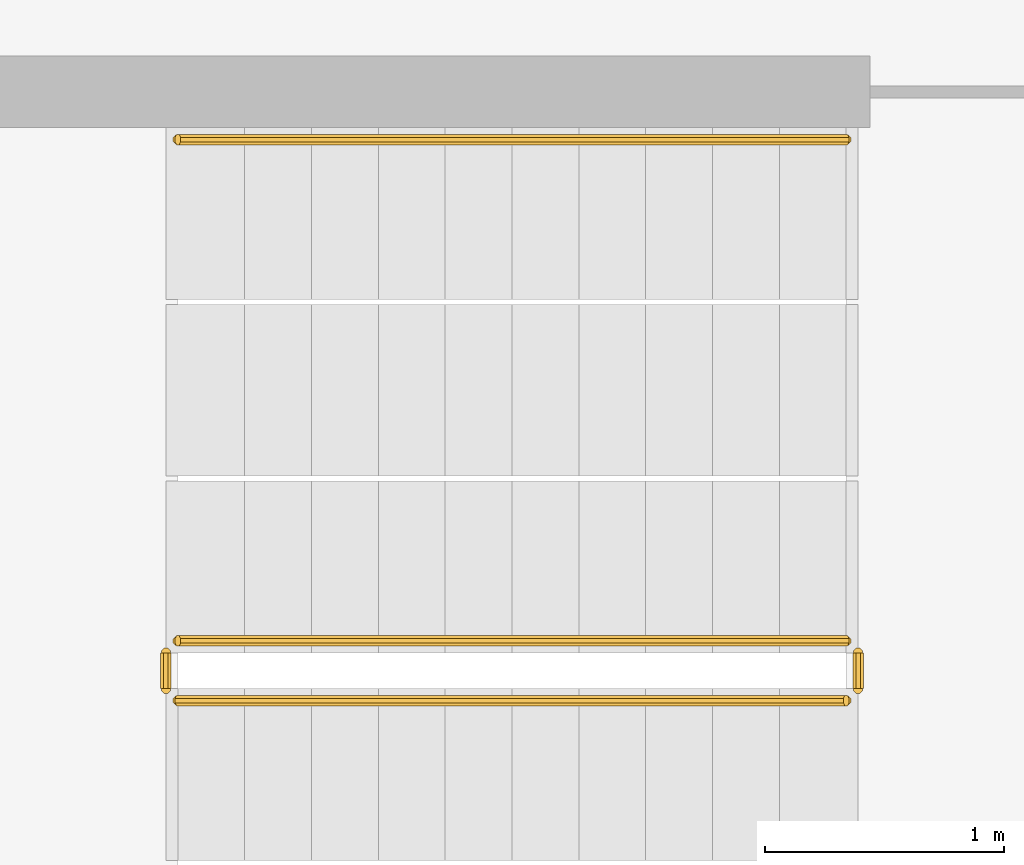
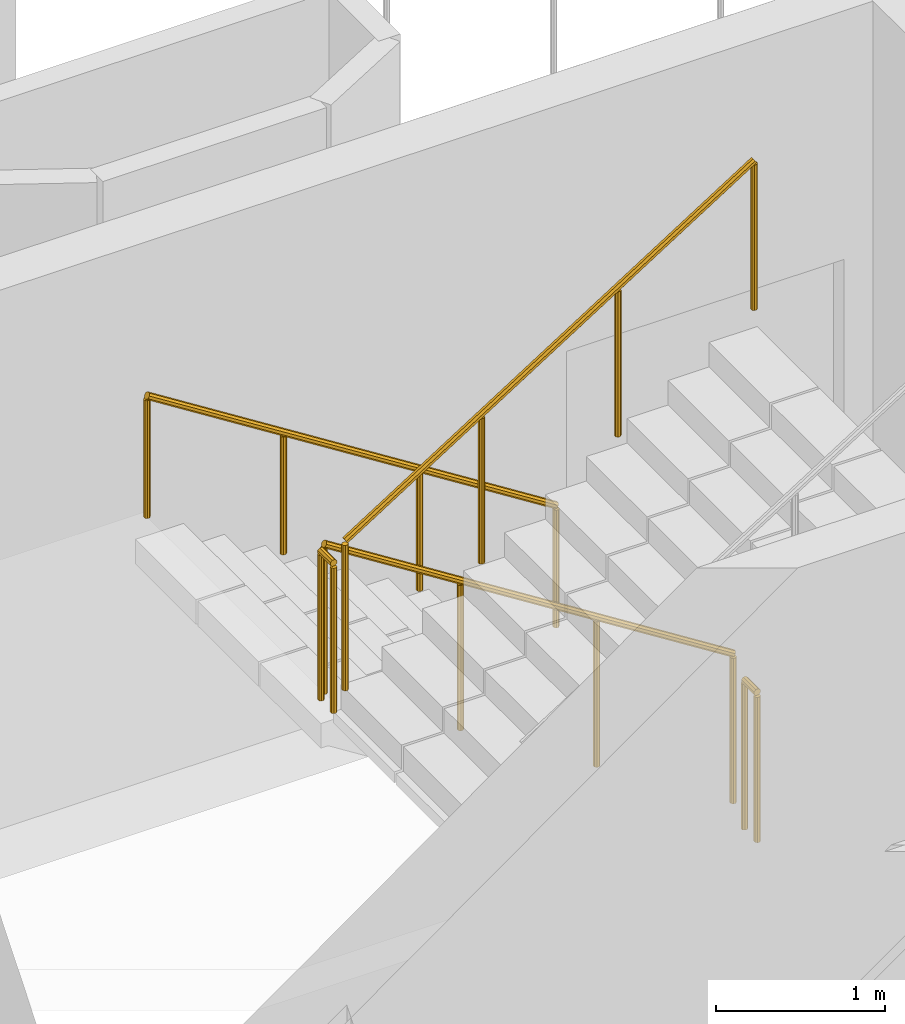
# One storey, part 20 of 26: 5 railings.
"""IFC4 building model written with IfcOpenShell, lengths in metres."""

from ifc_helpers import new_model, si_unit, direction, frame, origin, place, context, subcontext, project, spatial, polyline, outline, extrude, material, type_object, element, save


model = new_model("IFC4")

# Units and contexts
model_context = context("Model", 3, precision=1e-05, world=origin(), true_north=direction((0.0, 1.0)))
body_context = subcontext(model_context, "Body", "Model", "MODEL_VIEW")
ifc_project = project(units=[si_unit("LENGTHUNIT", "METRE"), si_unit("AREAUNIT", "SQUARE_METRE"), si_unit("VOLUMEUNIT", "CUBIC_METRE"), si_unit("PLANEANGLEUNIT", "RADIAN"), si_unit("MASSUNIT", "GRAM", prefix="KILO")], contexts=[model_context])

# Site, building, storey
site_placement = place(None, origin())
site = spatial("IfcSite", under=ifc_project, at=site_placement, CompositionType="ELEMENT")
building_placement = place(site_placement, origin())
building = spatial("IfcBuilding", under=site, at=building_placement, Name="Cormorant Relay Tower", CompositionType="ELEMENT")
storey_placement = place(building_placement, frame((0.0, 0.0, 316.5)))
storey = spatial("IfcBuildingStorey", under=building, at=storey_placement, Name="L72", CompositionType="ELEMENT", Elevation=316.5)

# Railings
ifc_material_1 = material(Name="Steel ASTM A572 Grade 50 (Fy 345 MPa)", Category="steel")
railing_type_1 = type_object("IfcRailingType", Name="Stair guard 1100", PredefinedType="GUARDRAIL", material=ifc_material_1)
railing_1_placement = place(storey_placement, frame((1.60009765625, -18.27490234375, 0.17724609375)))
element("IfcRailing", 1, at=railing_1_placement, inside=storey, type_object=railing_type_1, Name="L72 RK1 stair guard 1", PredefinedType="GUARDRAIL", context=body_context, shape_type="SweptSolid", body=[
    extrude(outline(polyline([(0.022216796875, 0.00927734375), (0.00927734375, 0.022216796875), (-0.00927734375, 0.022216796875), (-0.022216796875, 0.00927734375), (-0.022216796875, -0.00927734375), (-0.00927734375, -0.022216796875), (0.00927734375, -0.022216796875), (0.022216796875, -0.00927734375), (0.022216796875, 0.00927734375)])), frame((0.0, 0.0, 1.076171875), z_axis=(-0.844908973607, 0.0, 0.534910110503), x_axis=(0.0, -1.0, 0.0)), (0.0, 0.0, 1.0), 3.31396484375),
    extrude(outline(polyline([(0.019287109375, 0.008056640625), (0.008056640625, 0.019287109375), (-0.008056640625, 0.019287109375), (-0.019287109375, 0.008056640625), (-0.019287109375, -0.008056640625), (-0.008056640625, -0.019287109375), (0.008056640625, -0.019287109375), (0.019287109375, -0.008056640625), (0.019287109375, 0.008056640625)])), origin(), (0.0, 0.0, 1.0), 1.052001953125),
    extrude(outline(polyline([(0.019287109375, 0.008056640625), (0.008056640625, 0.019287109375), (-0.008056640625, 0.019287109375), (-0.019287109375, 0.008056640625), (-0.019287109375, -0.008056640625), (-0.008056640625, -0.019287109375), (0.008056640625, -0.019287109375), (0.019287109375, -0.008056640625), (0.019287109375, 0.008056640625)])), frame((-0.933349609375, 0.0, 0.5908203125)), (0.0, 0.0, 1.0), 1.052001953125),
    extrude(outline(polyline([(0.019287109375, 0.008056640625), (0.008056640625, 0.019287109375), (-0.008056640625, 0.019287109375), (-0.019287109375, 0.008056640625), (-0.019287109375, -0.008056640625), (-0.008056640625, -0.019287109375), (0.008056640625, -0.019287109375), (0.019287109375, -0.008056640625), (0.019287109375, 0.008056640625)])), frame((-1.86669921875, 0.0, 1.181884765625)), (0.0, 0.0, 1.0), 1.052001953125),
    extrude(outline(polyline([(0.019287109375, 0.008056640625), (0.008056640625, 0.019287109375), (-0.008056640625, 0.019287109375), (-0.019287109375, 0.008056640625), (-0.019287109375, -0.008056640625), (-0.008056640625, -0.019287109375), (0.008056640625, -0.019287109375), (0.019287109375, -0.008056640625), (0.019287109375, 0.008056640625)])), frame((-2.800048828125, 0.0, 1.772705078125)), (0.0, 0.0, 1.0), 1.052001953125),
])
railing_2_placement = place(storey_placement, frame((-1.25, -18.324951171875, 1.949951171875)))
element("IfcRailing", 2, at=railing_2_placement, inside=storey, type_object=railing_type_1, Name="L72 RK1 stair guard 2", PredefinedType="GUARDRAIL", context=body_context, shape_type="SweptSolid", body=[
    extrude(outline(polyline([(0.022216796875, 0.00927734375), (0.00927734375, 0.022216796875), (-0.00927734375, 0.022216796875), (-0.022216796875, 0.00927734375), (-0.022216796875, -0.00927734375), (-0.00927734375, -0.022216796875), (0.00927734375, -0.022216796875), (0.022216796875, -0.00927734375), (0.022216796875, 0.00927734375)])), frame((0.0, 0.0, 1.076171875), z_axis=(0.0, -1.0, 0.0), x_axis=(1.0, 0.0, 0.0)), (0.0, 0.0, 1.0), 0.150146484375),
    extrude(outline(polyline([(0.019287109375, 0.008056640625), (0.008056640625, 0.019287109375), (-0.008056640625, 0.019287109375), (-0.019287109375, 0.008056640625), (-0.019287109375, -0.008056640625), (-0.008056640625, -0.019287109375), (0.008056640625, -0.019287109375), (0.019287109375, -0.008056640625), (0.019287109375, 0.008056640625)])), origin(), (0.0, 0.0, 1.0), 1.052001953125),
    extrude(outline(polyline([(0.019287109375, 0.008056640625), (0.008056640625, 0.019287109375), (-0.008056640625, 0.019287109375), (-0.019287109375, 0.008056640625), (-0.019287109375, -0.008056640625), (-0.008056640625, -0.019287109375), (0.008056640625, -0.019287109375), (0.019287109375, -0.008056640625), (0.019287109375, 0.008056640625)])), frame((0.0, -0.150146484375, 0.0)), (0.0, 0.0, 1.0), 1.052001953125),
])
railing_3_placement = place(storey_placement, frame((-1.199951171875, -18.52490234375, 2.127197265625)))
element("IfcRailing", 3, at=railing_3_placement, inside=storey, type_object=railing_type_1, Name="L72 RK1 stair guard 3", PredefinedType="GUARDRAIL", context=body_context, shape_type="SweptSolid", body=[
    extrude(outline(polyline([(0.022216796875, 0.00927734375), (0.00927734375, 0.022216796875), (-0.00927734375, 0.022216796875), (-0.022216796875, 0.00927734375), (-0.022216796875, -0.00927734375), (-0.00927734375, -0.022216796875), (0.00927734375, -0.022216796875), (0.022216796875, -0.00927734375), (0.022216796875, 0.00927734375)])), frame((0.0, 0.0, 1.076171875), z_axis=(0.844908973607, 0.0, 0.534910110503), x_axis=(0.0, 1.0, 0.0)), (0.0, 0.0, 1.0), 3.31396484375),
    extrude(outline(polyline([(0.019287109375, 0.008056640625), (0.008056640625, 0.019287109375), (-0.008056640625, 0.019287109375), (-0.019287109375, 0.008056640625), (-0.019287109375, -0.008056640625), (-0.008056640625, -0.019287109375), (0.008056640625, -0.019287109375), (0.019287109375, -0.008056640625), (0.019287109375, 0.008056640625)])), origin(), (0.0, 0.0, 1.0), 1.052001953125),
    extrude(outline(polyline([(0.019287109375, 0.008056640625), (0.008056640625, 0.019287109375), (-0.008056640625, 0.019287109375), (-0.019287109375, 0.008056640625), (-0.019287109375, -0.008056640625), (-0.008056640625, -0.019287109375), (0.008056640625, -0.019287109375), (0.019287109375, -0.008056640625), (0.019287109375, 0.008056640625)])), frame((0.933349609375, 0.0, 0.5908203125)), (0.0, 0.0, 1.0), 1.052001953125),
    extrude(outline(polyline([(0.019287109375, 0.008056640625), (0.008056640625, 0.019287109375), (-0.008056640625, 0.019287109375), (-0.019287109375, 0.008056640625), (-0.019287109375, -0.008056640625), (-0.008056640625, -0.019287109375), (0.008056640625, -0.019287109375), (0.019287109375, -0.008056640625), (0.019287109375, 0.008056640625)])), frame((1.86669921875, 0.0, 1.181884765625)), (0.0, 0.0, 1.0), 1.052001953125),
    extrude(outline(polyline([(0.019287109375, 0.008056640625), (0.008056640625, 0.019287109375), (-0.008056640625, 0.019287109375), (-0.019287109375, 0.008056640625), (-0.019287109375, -0.008056640625), (-0.008056640625, -0.019287109375), (0.008056640625, -0.019287109375), (0.019287109375, -0.008056640625), (0.019287109375, 0.008056640625)])), frame((2.800048828125, 0.0, 1.772705078125)), (0.0, 0.0, 1.0), 1.052001953125),
])
railing_4_placement = place(storey_placement, frame((1.64990234375, -18.324951171875, 0.0)))
element("IfcRailing", 4, at=railing_4_placement, inside=storey, type_object=railing_type_1, Name="L72 RK1 stair guard 4", PredefinedType="GUARDRAIL", context=body_context, shape_type="SweptSolid", body=[
    extrude(outline(polyline([(0.022216796875, 0.00927734375), (0.00927734375, 0.022216796875), (-0.00927734375, 0.022216796875), (-0.022216796875, 0.00927734375), (-0.022216796875, -0.00927734375), (-0.00927734375, -0.022216796875), (0.00927734375, -0.022216796875), (0.022216796875, -0.00927734375), (0.022216796875, 0.00927734375)])), frame((0.0, 0.0, 1.076171875), z_axis=(0.0, -1.0, 0.0), x_axis=(1.0, 0.0, 0.0)), (0.0, 0.0, 1.0), 0.150146484375),
    extrude(outline(polyline([(0.019287109375, 0.008056640625), (0.008056640625, 0.019287109375), (-0.008056640625, 0.019287109375), (-0.019287109375, 0.008056640625), (-0.019287109375, -0.008056640625), (-0.008056640625, -0.019287109375), (0.008056640625, -0.019287109375), (0.019287109375, -0.008056640625), (0.019287109375, 0.008056640625)])), origin(), (0.0, 0.0, 1.0), 1.052001953125),
    extrude(outline(polyline([(0.019287109375, 0.008056640625), (0.008056640625, 0.019287109375), (-0.008056640625, 0.019287109375), (-0.019287109375, 0.008056640625), (-0.019287109375, -0.008056640625), (-0.008056640625, -0.019287109375), (0.008056640625, -0.019287109375), (0.019287109375, -0.008056640625), (0.019287109375, 0.008056640625)])), frame((0.0, -0.150146484375, 0.0)), (0.0, 0.0, 1.0), 1.052001953125),
])
ifc_material_2 = material(Name="Steel ASTM A572 Grade 50 (Fy 345 MPa)", Category="steel")
railing_type_2 = type_object("IfcRailingType", Name="Stair handrail 900", PredefinedType="HANDRAIL", material=ifc_material_2)
railing_5_placement = place(storey_placement, frame((1.60009765625, -16.175048828125, 0.17724609375)))
element("IfcRailing", 5, at=railing_5_placement, inside=storey, type_object=railing_type_2, Name="L72 RK1 stair handrail 1", PredefinedType="HANDRAIL", context=body_context, shape_type="SweptSolid", body=[
    extrude(outline(polyline([(0.022216796875, 0.00927734375), (0.00927734375, 0.022216796875), (-0.00927734375, 0.022216796875), (-0.022216796875, 0.00927734375), (-0.022216796875, -0.00927734375), (-0.00927734375, -0.022216796875), (0.00927734375, -0.022216796875), (0.022216796875, -0.00927734375), (0.022216796875, 0.00927734375)])), frame((0.0, 0.0, 0.8759765625), z_axis=(-0.844908973607, 0.0, 0.534910110503), x_axis=(0.0, -1.0, 0.0)), (0.0, 0.0, 1.0), 3.31396484375),
    extrude(outline(polyline([(0.019287109375, 0.008056640625), (0.008056640625, 0.019287109375), (-0.008056640625, 0.019287109375), (-0.019287109375, 0.008056640625), (-0.019287109375, -0.008056640625), (-0.008056640625, -0.019287109375), (0.008056640625, -0.019287109375), (0.019287109375, -0.008056640625), (0.019287109375, 0.008056640625)])), origin(), (0.0, 0.0, 1.0), 0.851806640625),
    extrude(outline(polyline([(0.019287109375, 0.008056640625), (0.008056640625, 0.019287109375), (-0.008056640625, 0.019287109375), (-0.019287109375, 0.008056640625), (-0.019287109375, -0.008056640625), (-0.008056640625, -0.019287109375), (0.008056640625, -0.019287109375), (0.019287109375, -0.008056640625), (0.019287109375, 0.008056640625)])), frame((-0.933349609375, 0.0, 0.5908203125)), (0.0, 0.0, 1.0), 0.851806640625),
    extrude(outline(polyline([(0.019287109375, 0.008056640625), (0.008056640625, 0.019287109375), (-0.008056640625, 0.019287109375), (-0.019287109375, 0.008056640625), (-0.019287109375, -0.008056640625), (-0.008056640625, -0.019287109375), (0.008056640625, -0.019287109375), (0.019287109375, -0.008056640625), (0.019287109375, 0.008056640625)])), frame((-1.86669921875, 0.0, 1.181884765625)), (0.0, 0.0, 1.0), 0.851806640625),
    extrude(outline(polyline([(0.019287109375, 0.008056640625), (0.008056640625, 0.019287109375), (-0.008056640625, 0.019287109375), (-0.019287109375, 0.008056640625), (-0.019287109375, -0.008056640625), (-0.008056640625, -0.019287109375), (0.008056640625, -0.019287109375), (0.019287109375, -0.008056640625), (0.019287109375, 0.008056640625)])), frame((-2.800048828125, 0.0, 1.772705078125)), (0.0, 0.0, 1.0), 0.851806640625),
])

save(model, "model.ifc")
